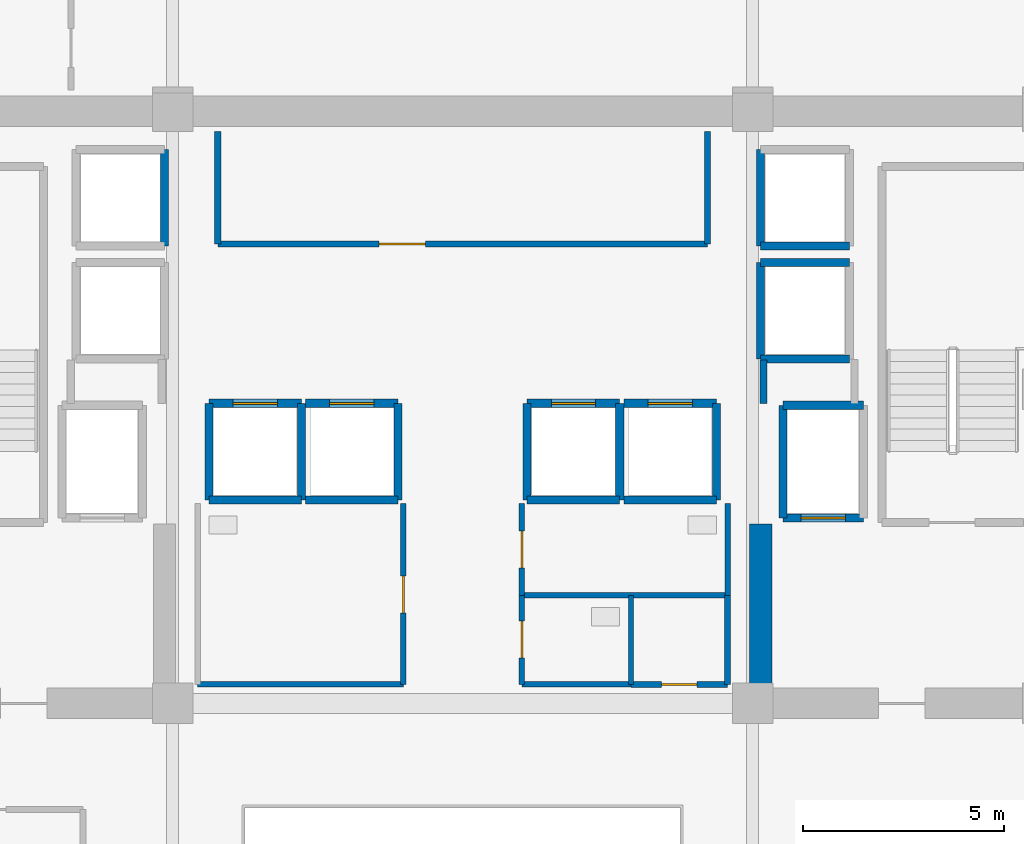
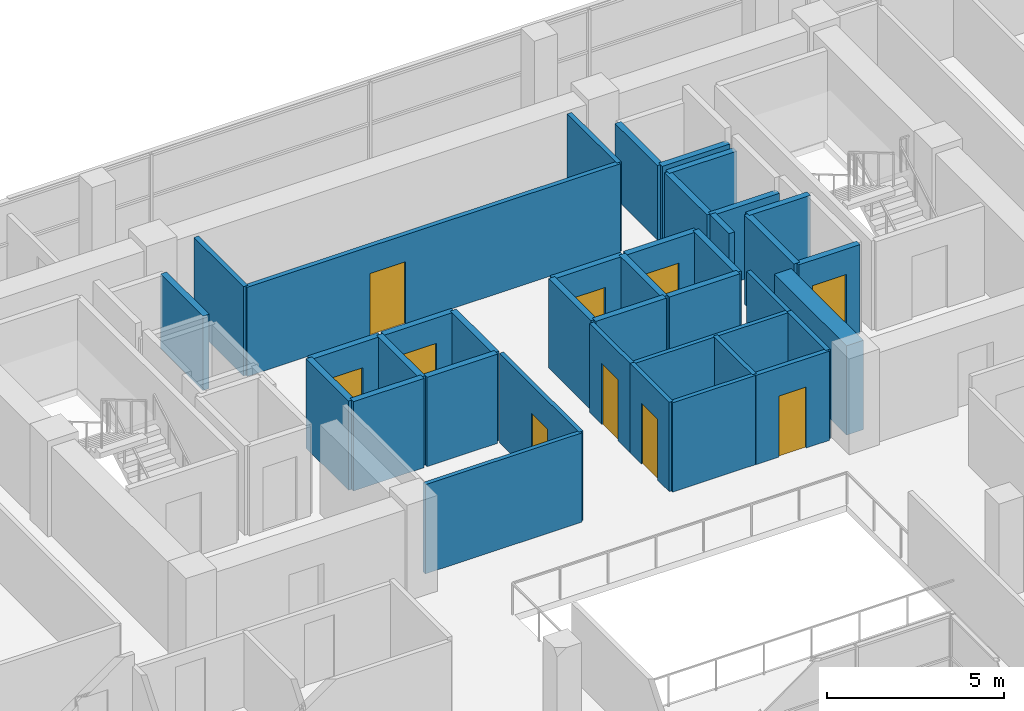
# One storey, part 16 of 21: 38 walls, 10 doors, 10 openings.
"""IFC4 building model written with IfcOpenShell, lengths in metres."""

from ifc_helpers import new_model, si_unit, direction, frame, frame_2d, origin, place, context, subcontext, project, spatial, rectangle, extrude, source, transform, mapped, material, layer, layer_set, type_object, element, fill, save


model = new_model("IFC4")

# Units and contexts
model_context = context("Model", 3, precision=1e-05, world=origin(), true_north=direction((0.0, 1.0)))
body_context = subcontext(model_context, "Body", "Model", "MODEL_VIEW")
ifc_project = project(units=[si_unit("LENGTHUNIT", "METRE"), si_unit("AREAUNIT", "SQUARE_METRE"), si_unit("VOLUMEUNIT", "CUBIC_METRE"), si_unit("PLANEANGLEUNIT", "RADIAN"), si_unit("MASSUNIT", "GRAM", prefix="KILO")], contexts=[model_context])

# Site, building, storey
site_placement = place(None, origin())
site = spatial("IfcSite", under=ifc_project, at=site_placement, CompositionType="ELEMENT")
building_placement = place(site_placement, origin())
building = spatial("IfcBuilding", under=site, at=building_placement, Name="Zarnakvel Exchange Tower", CompositionType="ELEMENT")
storey_placement = place(building_placement, frame((0.0, 0.0, 189.10009765625)))
storey = spatial("IfcBuildingStorey", under=building, at=storey_placement, Name="L53", CompositionType="ELEMENT", Elevation=189.10009765625)

# Wall
ifc_material_1 = material(Name="Concrete C60/75", Category="concrete")
ifc_layer_1 = layer(ifc_material_1, 0.550048828125)
ifc_layer_set_1 = layer_set([ifc_layer_1], Name="Concrete C60/75")
wall_type_1 = type_object("IfcWallType", Name="CW-C4", PredefinedType="SHEAR", material=ifc_layer_set_1)
wall_1_placement = place(storey_placement, frame((7.39990234375, -0.824951171875, 0.0), z_axis=(0.0, 0.0, 1.0), x_axis=(0.0, 1.0, 0.0)))
element("IfcWall", 1, at=wall_1_placement, inside=storey, type_object=wall_type_1, Name="L53 Rear Core Shear Wall IE (CW-C4)", PredefinedType="SHEAR", context=body_context, shape_type="SweptSolid", body=[
    extrude(rectangle(XDim=4.074951171875, YDim=0.550048828125, at=frame_2d((2.03759765625, 0.0))), origin(), (0.0, 0.0, 1.0), 3.074951171875),
])

# Wall, opening, door
ifc_material_2 = material(Name="Fire-Rated Gypsum Stud Partition", Category="gypsum")
ifc_layer_2 = layer(ifc_material_2, 0.14990234375)
ifc_layer_set_2 = layer_set([ifc_layer_2], Name="Fire-Rated Gypsum Stud Partition")
wall_type_2 = type_object("IfcWallType", Name="PT-01", PredefinedType="PARTITIONING", material=ifc_layer_set_2)
wall_2_placement = place(storey_placement, frame((6.080078125, 10.199951171875, 0.0), z_axis=(0.0, 0.0, 1.0), x_axis=(-1.0, 0.0, 0.0)))
wall_2 = element("IfcWall", 2, at=wall_2_placement, inside=storey, type_object=wall_type_2, Name="L53 Partition Wall PWALL-L53-011 (PT-01)", PredefinedType="PARTITIONING", context=body_context, shape_type="SweptSolid", body=[
    extrude(rectangle(XDim=12.16015625, YDim=0.14990234375, at=frame_2d((6.080078125, 0.0))), origin(), (0.0, 0.0, 1.0), 3.074951171875),
])
opening_1_placement = place(wall_2_placement, frame((7.0048828125, 0.0, 0.0)))
opening_1 = element("IfcOpeningElement", 3, at=opening_1_placement, cuts=wall_2, Name="Opening D-L53-05", PredefinedType="OPENING", context=body_context, shape_type="SweptSolid", body=[
    extrude(rectangle(XDim=1.14990234375, YDim=2.14990234375, at=frame_2d((0.574951171875, 1.074951171875))), frame((0.0, 0.0849609375, 0.0), z_axis=(0.0, -1.0, 0.0), x_axis=(1.0, 0.0, 0.0)), (0.0, 0.0, 1.0), 0.169921875),
])
ifc_material_3 = material(Name="Painted Galvanised Steel S355", Category="steel")
door_type_1 = type_object("IfcDoorType", Name="DT-04", OperationType="NOTDEFINED", PredefinedType="DOOR", material=ifc_material_3)
shared_shape_1 = source(origin(), body_context, "Body", "SweptSolid", [
    extrude(rectangle(XDim=1.14990234375, YDim=2.14990234375, at=frame_2d((0.574951171875, 1.074951171875))), frame((0.0, 0.02490234375, 0.0), z_axis=(0.0, -1.0, 0.0), x_axis=(1.0, 0.0, 0.0)), (0.0, 0.0, 1.0), 0.050048828125),
])
door_1_placement = place(opening_1_placement, origin())
door_1 = element("IfcDoor", 4, at=door_1_placement, inside=storey, type_object=door_type_1, Name="L53 Market Data Archive Suite Door D-L53-05", OperationType="SINGLE_SWING_LEFT", OverallHeight=2.14990234375, OverallWidth=1.14990234375, PredefinedType="DOOR", context=body_context, shape_type="MappedRepresentation", body=[
    mapped(shared_shape_1, transform((0.0, 0.0, 0.0), x_axis=(1.0, 0.0, 0.0), y_axis=(0.0, 1.0, 0.0), z_axis=(0.0, 0.0, 1.0), scale=1.0)),
])
fill(opening_1, door_1)

# Walls
for number, where, z_axis, x_axis, name in (
    (5, (-6.080078125, 10.199951171875, 0.0), (0.0, 0.0, 1.0), (0.0, 1.0, 0.0), "L53 Partition Wall PWALL-L53-012 (PT-01)"),
    (6, (6.080078125, 13.0, 0.0), (0.0, 0.0, 1.0), (0.0, -1.0, 0.0), "L53 Partition Wall PWALL-L53-013 (PT-01)"),
):
    element("IfcWall", number, at=place(storey_placement, frame(where, z_axis=z_axis, x_axis=x_axis)), inside=storey, type_object=wall_type_2, Name=name, PredefinedType="PARTITIONING", context=body_context, shape_type="SweptSolid", body=[
        extrude(rectangle(XDim=2.800048828125, YDim=0.14990234375, at=frame_2d((1.39990234375, 0.0))), origin(), (0.0, 0.0, 1.0), 3.074951171875),
    ])

# Wall, opening, door
wall_3_placement = place(storey_placement, frame((6.580078125, -0.72998046875, 0.0), z_axis=(0.0, 0.0, 1.0), x_axis=(-1.0, 0.0, 0.0)))
wall_3 = element("IfcWall", 7, at=wall_3_placement, inside=storey, type_object=wall_type_2, Name="L53 Partition Wall PWALL-L53-023 (PT-01)", PredefinedType="PARTITIONING", context=body_context, shape_type="SweptSolid", body=[
    extrude(rectangle(XDim=2.400146484375, YDim=0.14990234375, at=frame_2d((1.2001953125, 0.0))), origin(), (0.0, 0.0, 1.0), 3.074951171875),
])
opening_2_placement = place(wall_3_placement, frame((0.760009765625, 0.0, 0.0)))
opening_2 = element("IfcOpeningElement", 8, at=opening_2_placement, cuts=wall_3, Name="Opening D-L53-09", PredefinedType="OPENING", context=body_context, shape_type="SweptSolid", body=[
    extrude(rectangle(XDim=0.8798828125, YDim=2.10009765625, at=frame_2d((0.43994140625, 1.050048828125))), frame((0.0, 0.0849609375, 0.0), z_axis=(0.0, -1.0, 0.0), x_axis=(1.0, 0.0, 0.0)), (0.0, 0.0, 1.0), 0.169921875),
])
door_type_2 = type_object("IfcDoorType", Name="DT-08", OperationType="NOTDEFINED", PredefinedType="DOOR", material=ifc_material_3)
shared_shape_2 = source(origin(), body_context, "Body", "SweptSolid", [
    extrude(rectangle(XDim=0.8798828125, YDim=2.10009765625, at=frame_2d((0.43994140625, 1.050048828125))), frame((0.0, 0.02490234375, 0.0), z_axis=(0.0, -1.0, 0.0), x_axis=(1.0, 0.0, 0.0)), (0.0, 0.0, 1.0), 0.050048828125),
])
door_2_placement = place(opening_2_placement, origin())
door_2 = element("IfcDoor", 9, at=door_2_placement, inside=storey, type_object=door_type_2, Name="L53 Cleaners Store Door D-L53-09", OperationType="SINGLE_SWING_LEFT", OverallHeight=2.10009765625, OverallWidth=0.8798828125, PredefinedType="DOOR", context=body_context, shape_type="MappedRepresentation", body=[
    mapped(shared_shape_2, transform((0.0, 0.0, 0.0), x_axis=(1.0, 0.0, 0.0), y_axis=(0.0, 1.0, 0.0), z_axis=(0.0, 0.0, 1.0), scale=1.0)),
])
fill(opening_2, door_2)

# Walls
wall_4_placement = place(storey_placement, frame((6.580078125, 1.47998046875, 0.0), z_axis=(0.0, 0.0, 1.0), x_axis=(0.0, -1.0, 0.0)))
element("IfcWall", 10, at=wall_4_placement, inside=storey, type_object=wall_type_2, Name="L53 Partition Wall PWALL-L53-024 (PT-01)", PredefinedType="PARTITIONING", context=body_context, shape_type="SweptSolid", body=[
    extrude(rectangle(XDim=2.2099609375, YDim=0.14990234375, at=frame_2d((1.10498046875, 0.0))), origin(), (0.0, 0.0, 1.0), 3.074951171875),
])
ifc_layer_3 = layer(ifc_material_2, 0.179931640625)
ifc_layer_set_3 = layer_set([ifc_layer_3], Name="Fire-Rated Gypsum Stud Partition")
wall_type_3 = type_object("IfcWallType", Name="PT-02", PredefinedType="PARTITIONING", material=ifc_layer_set_3)
wall_5_placement = place(storey_placement, frame((7.469970703125, 6.239990234375, 0.0), z_axis=(0.0, 0.0, 1.0), x_axis=(0.0, 1.0, 0.0)))
element("IfcWall", 11, at=wall_5_placement, inside=storey, type_object=wall_type_3, Name="L53 Partition Wall PWALL-L53-009 (PT-02)", PredefinedType="PARTITIONING", context=body_context, shape_type="SweptSolid", body=[
    extrude(rectangle(XDim=1.090087890625, YDim=0.179931640625, at=frame_2d((0.544921875, 0.0))), origin(), (0.0, 0.0, 1.0), 2.56494140625),
])
ifc_material_4 = material(Name="Moisture-Resistant Tile-Faced Partition", Category="gypsum")
ifc_layer_4 = layer(ifc_material_4, 0.135009765625)
ifc_layer_set_4 = layer_set([ifc_layer_4], Name="Moisture-Resistant Tile-Faced Partition")
wall_type_4 = type_object("IfcWallType", Name="PT-03", PredefinedType="PARTITIONING", material=ifc_layer_set_4)
wall_6_placement = place(storey_placement, frame((-1.469970703125, -0.72998046875, 0.0), z_axis=(0.0, 0.0, 1.0), x_axis=(-1.0, 0.0, 0.0)))
element("IfcWall", 12, at=wall_6_placement, inside=storey, type_object=wall_type_4, Name="L53 Partition Wall PWALL-L53-014 (PT-03)", PredefinedType="PARTITIONING", context=body_context, shape_type="SweptSolid", body=[
    extrude(rectangle(XDim=5.110107421875, YDim=0.135009765625, at=frame_2d((2.55517578125, 0.0))), origin(), (0.0, 0.0, 1.0), 3.074951171875),
])

# Wall, opening, door
wall_7_placement = place(storey_placement, frame((-1.469970703125, 3.760009765625, 0.0), z_axis=(0.0, 0.0, 1.0), x_axis=(0.0, -1.0, 0.0)))
wall_7 = element("IfcWall", 13, at=wall_7_placement, inside=storey, type_object=wall_type_4, Name="L53 Partition Wall PWALL-L53-016 (PT-03)", PredefinedType="PARTITIONING", context=body_context, shape_type="SweptSolid", body=[
    extrude(rectangle(XDim=4.489990234375, YDim=0.135009765625, at=frame_2d((2.2451171875, 0.0))), origin(), (0.0, 0.0, 1.0), 3.074951171875),
])
opening_3_placement = place(wall_7_placement, frame((1.800048828125, 0.0, 0.0)))
opening_3 = element("IfcOpeningElement", 14, at=opening_3_placement, cuts=wall_7, Name="Opening D-L53-06", PredefinedType="OPENING", context=body_context, shape_type="SweptSolid", body=[
    extrude(rectangle(XDim=0.919921875, YDim=2.10009765625, at=frame_2d((0.4599609375, 1.050048828125))), frame((0.0, 0.077392578125, 0.0), z_axis=(0.0, -1.0, 0.0), x_axis=(1.0, 0.0, 0.0)), (0.0, 0.0, 1.0), 0.155029296875),
])
ifc_material_5 = material(Name="Moisture-Resistant Laminate Timber", Category="wood")
door_type_3 = type_object("IfcDoorType", Name="DT-07", OperationType="NOTDEFINED", PredefinedType="DOOR", material=ifc_material_5)
shared_shape_3 = source(origin(), body_context, "Body", "SweptSolid", [
    extrude(rectangle(XDim=0.919921875, YDim=2.10009765625, at=frame_2d((0.4599609375, 1.050048828125))), frame((0.0, 0.02490234375, 0.0), z_axis=(0.0, -1.0, 0.0), x_axis=(1.0, 0.0, 0.0)), (0.0, 0.0, 1.0), 0.050048828125),
])
door_3_placement = place(opening_3_placement, origin())
door_3 = element("IfcDoor", 15, at=door_3_placement, inside=storey, type_object=door_type_3, Name="L53 Male Toilet Door D-L53-06", OperationType="SINGLE_SWING_RIGHT", OverallHeight=2.10009765625, OverallWidth=0.919921875, PredefinedType="DOOR", context=body_context, shape_type="MappedRepresentation", body=[
    mapped(shared_shape_3, transform((0.0, 0.0, 0.0), x_axis=(1.0, 0.0, 0.0), y_axis=(0.0, 1.0, 0.0), z_axis=(0.0, 0.0, 1.0), scale=1.0)),
])
fill(opening_3, door_3)

# Wall
wall_8_placement = place(storey_placement, frame((6.580078125, 1.47998046875, 0.0), z_axis=(0.0, 0.0, 1.0), x_axis=(-1.0, 0.0, 0.0)))
element("IfcWall", 16, at=wall_8_placement, inside=storey, type_object=wall_type_4, Name="L53 Partition Wall PWALL-L53-017 (PT-03)", PredefinedType="PARTITIONING", context=body_context, shape_type="SweptSolid", body=[
    extrude(rectangle(XDim=5.110107421875, YDim=0.135009765625, at=frame_2d((2.55517578125, 0.0))), origin(), (0.0, 0.0, 1.0), 3.074951171875),
])

# Wall, opening, door
wall_9_placement = place(storey_placement, frame((1.469970703125, 1.47998046875, 0.0), z_axis=(0.0, 0.0, 1.0), x_axis=(0.0, 1.0, 0.0)))
wall_9 = element("IfcWall", 17, at=wall_9_placement, inside=storey, type_object=wall_type_4, Name="L53 Partition Wall PWALL-L53-018 (PT-03)", PredefinedType="PARTITIONING", context=body_context, shape_type="SweptSolid", body=[
    extrude(rectangle(XDim=2.280029296875, YDim=0.135009765625, at=frame_2d((1.14013671875, 0.0))), origin(), (0.0, 0.0, 1.0), 3.074951171875),
])
opening_4_placement = place(wall_9_placement, frame((0.679931640625, 0.0, 0.0)))
opening_4 = element("IfcOpeningElement", 18, at=opening_4_placement, cuts=wall_9, Name="Opening D-L53-07", PredefinedType="OPENING", context=body_context, shape_type="SweptSolid", body=[
    extrude(rectangle(XDim=0.919921875, YDim=2.10009765625, at=frame_2d((0.4599609375, 1.050048828125))), frame((0.0, 0.077392578125, 0.0), z_axis=(0.0, -1.0, 0.0), x_axis=(1.0, 0.0, 0.0)), (0.0, 0.0, 1.0), 0.155029296875),
])
door_4_placement = place(opening_4_placement, origin())
door_4 = element("IfcDoor", 19, at=door_4_placement, inside=storey, type_object=door_type_3, Name="L53 Female Toilet Door D-L53-07", OperationType="SINGLE_SWING_LEFT", OverallHeight=2.10009765625, OverallWidth=0.919921875, PredefinedType="DOOR", context=body_context, shape_type="MappedRepresentation", body=[
    mapped(shared_shape_3, transform((0.0, 0.0, 0.0), x_axis=(1.0, 0.0, 0.0), y_axis=(0.0, 1.0, 0.0), z_axis=(0.0, 0.0, 1.0), scale=1.0)),
])
fill(opening_4, door_4)

# Walls
wall_10_placement = place(storey_placement, frame((6.580078125, 3.760009765625, 0.0), z_axis=(0.0, 0.0, 1.0), x_axis=(0.0, -1.0, 0.0)))
element("IfcWall", 20, at=wall_10_placement, inside=storey, type_object=wall_type_4, Name="L53 Partition Wall PWALL-L53-019 (PT-03)", PredefinedType="PARTITIONING", context=body_context, shape_type="SweptSolid", body=[
    extrude(rectangle(XDim=2.280029296875, YDim=0.135009765625, at=frame_2d((1.14013671875, 0.0))), origin(), (0.0, 0.0, 1.0), 3.074951171875),
])
wall_11_placement = place(storey_placement, frame((4.179931640625, -0.72998046875, 0.0), z_axis=(0.0, 0.0, 1.0), x_axis=(-1.0, 0.0, 0.0)))
element("IfcWall", 21, at=wall_11_placement, inside=storey, type_object=wall_type_4, Name="L53 Partition Wall PWALL-L53-020 (PT-03)", PredefinedType="PARTITIONING", context=body_context, shape_type="SweptSolid", body=[
    extrude(rectangle(XDim=2.7099609375, YDim=0.135009765625, at=frame_2d((1.35498046875, 0.0))), origin(), (0.0, 0.0, 1.0), 3.074951171875),
])

# Wall, opening, door
wall_12_placement = place(storey_placement, frame((1.469970703125, -0.72998046875, 0.0), z_axis=(0.0, 0.0, 1.0), x_axis=(0.0, 1.0, 0.0)))
wall_12 = element("IfcWall", 22, at=wall_12_placement, inside=storey, type_object=wall_type_4, Name="L53 Partition Wall PWALL-L53-021 (PT-03)", PredefinedType="PARTITIONING", context=body_context, shape_type="SweptSolid", body=[
    extrude(rectangle(XDim=2.2099609375, YDim=0.135009765625, at=frame_2d((1.10498046875, 0.0))), origin(), (0.0, 0.0, 1.0), 3.074951171875),
])
opening_5_placement = place(wall_12_placement, frame((0.64990234375, 0.0, 0.0)))
opening_5 = element("IfcOpeningElement", 23, at=opening_5_placement, cuts=wall_12, Name="Opening D-L53-08", PredefinedType="OPENING", context=body_context, shape_type="SweptSolid", body=[
    extrude(rectangle(XDim=0.919921875, YDim=2.10009765625, at=frame_2d((0.4599609375, 1.050048828125))), frame((0.0, 0.077392578125, 0.0), z_axis=(0.0, -1.0, 0.0), x_axis=(1.0, 0.0, 0.0)), (0.0, 0.0, 1.0), 0.155029296875),
])
door_5_placement = place(opening_5_placement, origin())
door_5 = element("IfcDoor", 24, at=door_5_placement, inside=storey, type_object=door_type_3, Name="L53 Accessible Toilet Door D-L53-08", OperationType="SINGLE_SWING_RIGHT", OverallHeight=2.10009765625, OverallWidth=0.919921875, PredefinedType="DOOR", context=body_context, shape_type="MappedRepresentation", body=[
    mapped(shared_shape_3, transform((0.0, 0.0, 0.0), x_axis=(1.0, 0.0, 0.0), y_axis=(0.0, 1.0, 0.0), z_axis=(0.0, 0.0, 1.0), scale=1.0)),
])
fill(opening_5, door_5)

# Wall
wall_13_placement = place(storey_placement, frame((4.179931640625, 1.47998046875, 0.0), z_axis=(0.0, 0.0, 1.0), x_axis=(0.0, -1.0, 0.0)))
element("IfcWall", 25, at=wall_13_placement, inside=storey, type_object=wall_type_4, Name="L53 Partition Wall PWALL-L53-022 (PT-03)", PredefinedType="PARTITIONING", context=body_context, shape_type="SweptSolid", body=[
    extrude(rectangle(XDim=2.2099609375, YDim=0.135009765625, at=frame_2d((1.10498046875, 0.0))), origin(), (0.0, 0.0, 1.0), 3.074951171875),
])

# Wall, opening, door
ifc_material_6 = material(Name="Concrete C40/50", Category="concrete")
ifc_layer_5 = layer(ifc_material_6, 0.199951171875)
ifc_layer_set_5 = layer_set([ifc_layer_5], Name="Concrete C40/50")
wall_type_5 = type_object("IfcWallType", Name="SW-01", PredefinedType="SOLIDWALL", material=ifc_layer_set_5)
wall_14_placement = place(storey_placement, frame((9.949951171875, 3.39990234375, 0.0), z_axis=(0.0, 0.0, 1.0), x_axis=(-1.0, 0.0, 0.0)))
wall_14 = element("IfcWall", 26, at=wall_14_placement, inside=storey, type_object=wall_type_5, Name="L53 FL-02 Hoistway Wall South", PredefinedType="SOLIDWALL", context=body_context, shape_type="SweptSolid", body=[
    extrude(rectangle(XDim=2.0, YDim=0.199951171875, at=frame_2d((1.0, 0.0))), origin(), (0.0, 0.0, 1.0), 3.074951171875),
])
opening_6_placement = place(wall_14_placement, frame((0.449951171875, 0.0, 0.0)))
opening_6 = element("IfcOpeningElement", 27, at=opening_6_placement, cuts=wall_14, Name="Opening LD-FL-02-L53", PredefinedType="OPENING", context=body_context, shape_type="SweptSolid", body=[
    extrude(rectangle(XDim=1.10009765625, YDim=2.199951171875, at=frame_2d((0.550048828125, 1.10009765625))), frame((0.0, 0.10986328125, 0.0), z_axis=(0.0, -1.0, 0.0), x_axis=(1.0, 0.0, 0.0)), (0.0, 0.0, 1.0), 0.219970703125),
])
ifc_material_7 = material(Name="Brushed Stainless Steel", Category="steel")
door_type_4 = type_object("IfcDoorType", Name="LDT-01", OperationType="NOTDEFINED", PredefinedType="DOOR", material=ifc_material_7)
shared_shape_4 = source(origin(), body_context, "Body", "SweptSolid", [
    extrude(rectangle(XDim=1.10009765625, YDim=2.199951171875, at=frame_2d((0.550048828125, 1.10009765625))), frame((0.0, 0.02490234375, 0.0), z_axis=(0.0, -1.0, 0.0), x_axis=(1.0, 0.0, 0.0)), (0.0, 0.0, 1.0), 0.050048828125),
])
door_6_placement = place(opening_6_placement, origin())
door_6 = element("IfcDoor", 28, at=door_6_placement, inside=storey, type_object=door_type_4, Name="L53 FL-02 Lift Landing Door LD-FL-02-L53", OperationType="DOUBLE_DOOR_SLIDING", OverallHeight=2.199951171875, OverallWidth=1.10009765625, PredefinedType="DOOR", context=body_context, shape_type="MappedRepresentation", body=[
    mapped(shared_shape_4, transform((0.0, 0.0, 0.0), x_axis=(1.0, 0.0, 0.0), y_axis=(0.0, 1.0, 0.0), z_axis=(0.0, 0.0, 1.0), scale=1.0)),
])
fill(opening_6, door_6)

# Walls
wall_15_placement = place(storey_placement, frame((7.949951171875, 6.199951171875, 0.0), z_axis=(0.0, 0.0, 1.0), x_axis=(1.0, 0.0, 0.0)))
element("IfcWall", 29, at=wall_15_placement, inside=storey, type_object=wall_type_5, Name="L53 FL-02 Hoistway Wall North", PredefinedType="SOLIDWALL", context=body_context, shape_type="SweptSolid", body=[
    extrude(rectangle(XDim=2.0, YDim=0.199951171875, at=frame_2d((1.0, 0.0))), origin(), (0.0, 0.0, 1.0), 3.074951171875),
])
wall_16_placement = place(storey_placement, frame((7.949951171875, 3.39990234375, 0.0), z_axis=(0.0, 0.0, 1.0), x_axis=(0.0, 1.0, 0.0)))
element("IfcWall", 30, at=wall_16_placement, inside=storey, type_object=wall_type_5, Name="L53 FL-02 Hoistway Wall West", PredefinedType="SOLIDWALL", context=body_context, shape_type="SweptSolid", body=[
    extrude(rectangle(XDim=2.800048828125, YDim=0.199951171875, at=frame_2d((1.39990234375, 0.0))), origin(), (0.0, 0.0, 1.0), 3.074951171875),
])
wall_17_placement = place(storey_placement, frame((-4.0, 3.85009765625, 0.0), z_axis=(0.0, 0.0, 1.0), x_axis=(-1.0, 0.0, 0.0)))
element("IfcWall", 31, at=wall_17_placement, inside=storey, type_object=wall_type_5, Name="L53 PL-05 Hoistway Wall South", PredefinedType="SOLIDWALL", context=body_context, shape_type="SweptSolid", body=[
    extrude(rectangle(XDim=2.300048828125, YDim=0.199951171875, at=frame_2d((1.14990234375, 0.0))), origin(), (0.0, 0.0, 1.0), 3.074951171875),
])

# Wall, opening, door
wall_18_placement = place(storey_placement, frame((-6.300048828125, 6.25, 0.0), z_axis=(0.0, 0.0, 1.0), x_axis=(1.0, 0.0, 0.0)))
wall_18 = element("IfcWall", 32, at=wall_18_placement, inside=storey, type_object=wall_type_5, Name="L53 PL-05 Hoistway Wall North", PredefinedType="SOLIDWALL", context=body_context, shape_type="SweptSolid", body=[
    extrude(rectangle(XDim=2.300048828125, YDim=0.199951171875, at=frame_2d((1.14990234375, 0.0))), origin(), (0.0, 0.0, 1.0), 3.074951171875),
])
opening_7_placement = place(wall_18_placement, frame((0.60009765625, 0.0, 0.0)))
opening_7 = element("IfcOpeningElement", 33, at=opening_7_placement, cuts=wall_18, Name="Opening LD-PL-05-L53", PredefinedType="OPENING", context=body_context, shape_type="SweptSolid", body=[
    extrude(rectangle(XDim=1.10009765625, YDim=2.199951171875, at=frame_2d((0.550048828125, 1.10009765625))), frame((0.0, 0.10986328125, 0.0), z_axis=(0.0, -1.0, 0.0), x_axis=(1.0, 0.0, 0.0)), (0.0, 0.0, 1.0), 0.219970703125),
])
ifc_material_8 = material(Name="Architectural Bronze Anodised Aluminium", Category="aluminium")
door_type_5 = type_object("IfcDoorType", Name="LDT-02", OperationType="NOTDEFINED", PredefinedType="DOOR", material=ifc_material_8)
door_7_placement = place(opening_7_placement, origin())
door_7 = element("IfcDoor", 34, at=door_7_placement, inside=storey, type_object=door_type_5, Name="L53 PL-05 Lift Landing Door LD-PL-05-L53", OperationType="DOUBLE_DOOR_SLIDING", OverallHeight=2.199951171875, OverallWidth=1.10009765625, PredefinedType="DOOR", context=body_context, shape_type="MappedRepresentation", body=[
    mapped(shared_shape_4, transform((0.0, 0.0, 0.0), x_axis=(1.0, 0.0, 0.0), y_axis=(0.0, 1.0, 0.0), z_axis=(0.0, 0.0, 1.0), scale=1.0)),
])
fill(opening_7, door_7)

# Walls
for number, where, z_axis, x_axis, name in (
    (35, (-6.300048828125, 3.85009765625, 0.0), (0.0, 0.0, 1.0), (0.0, 1.0, 0.0), "L53 PL-05 Hoistway Wall West"),
    (36, (-4.0, 6.25, 0.0), (0.0, 0.0, 1.0), (0.0, -1.0, 0.0), "L53 PL-05 Hoistway Wall East"),
):
    element("IfcWall", number, at=place(storey_placement, frame(where, z_axis=z_axis, x_axis=x_axis)), inside=storey, type_object=wall_type_5, Name=name, PredefinedType="SOLIDWALL", context=body_context, shape_type="SweptSolid", body=[
        extrude(rectangle(XDim=2.39990234375, YDim=0.199951171875, at=frame_2d((1.199951171875, 0.0))), origin(), (0.0, 0.0, 1.0), 3.074951171875),
    ])
wall_19_placement = place(storey_placement, frame((-1.60009765625, 3.85009765625, 0.0), z_axis=(0.0, 0.0, 1.0), x_axis=(-1.0, 0.0, 0.0)))
element("IfcWall", 37, at=wall_19_placement, inside=storey, type_object=wall_type_5, Name="L53 PL-06 Hoistway Wall South", PredefinedType="SOLIDWALL", context=body_context, shape_type="SweptSolid", body=[
    extrude(rectangle(XDim=2.2998046875, YDim=0.199951171875, at=frame_2d((1.14990234375, 0.0))), origin(), (0.0, 0.0, 1.0), 3.074951171875),
])

# Wall, opening, door
wall_20_placement = place(storey_placement, frame((-3.89990234375, 6.25, 0.0), z_axis=(0.0, 0.0, 1.0), x_axis=(1.0, 0.0, 0.0)))
wall_20 = element("IfcWall", 38, at=wall_20_placement, inside=storey, type_object=wall_type_5, Name="L53 PL-06 Hoistway Wall North", PredefinedType="SOLIDWALL", context=body_context, shape_type="SweptSolid", body=[
    extrude(rectangle(XDim=2.2998046875, YDim=0.199951171875, at=frame_2d((1.14990234375, 0.0))), origin(), (0.0, 0.0, 1.0), 3.074951171875),
])
opening_8_placement = place(wall_20_placement, frame((0.60009765625, 0.0, 0.0)))
opening_8 = element("IfcOpeningElement", 39, at=opening_8_placement, cuts=wall_20, Name="Opening LD-PL-06-L53", PredefinedType="OPENING", context=body_context, shape_type="SweptSolid", body=[
    extrude(rectangle(XDim=1.10009765625, YDim=2.199951171875, at=frame_2d((0.550048828125, 1.10009765625))), frame((0.0, 0.10986328125, 0.0), z_axis=(0.0, -1.0, 0.0), x_axis=(1.0, 0.0, 0.0)), (0.0, 0.0, 1.0), 0.219970703125),
])
door_8_placement = place(opening_8_placement, origin())
door_8 = element("IfcDoor", 40, at=door_8_placement, inside=storey, type_object=door_type_5, Name="L53 PL-06 Lift Landing Door LD-PL-06-L53", OperationType="DOUBLE_DOOR_SLIDING", OverallHeight=2.199951171875, OverallWidth=1.10009765625, PredefinedType="DOOR", context=body_context, shape_type="MappedRepresentation", body=[
    mapped(shared_shape_4, transform((0.0, 0.0, 0.0), x_axis=(1.0, 0.0, 0.0), y_axis=(0.0, 1.0, 0.0), z_axis=(0.0, 0.0, 1.0), scale=1.0)),
])
fill(opening_8, door_8)

# Walls
wall_21_placement = place(storey_placement, frame((-1.60009765625, 6.25, 0.0), z_axis=(0.0, 0.0, 1.0), x_axis=(0.0, -1.0, 0.0)))
element("IfcWall", 41, at=wall_21_placement, inside=storey, type_object=wall_type_5, Name="L53 PL-06 Hoistway Wall East", PredefinedType="SOLIDWALL", context=body_context, shape_type="SweptSolid", body=[
    extrude(rectangle(XDim=2.39990234375, YDim=0.199951171875, at=frame_2d((1.199951171875, 0.0))), origin(), (0.0, 0.0, 1.0), 3.074951171875),
])
wall_22_placement = place(storey_placement, frame((3.89990234375, 3.85009765625, 0.0), z_axis=(0.0, 0.0, 1.0), x_axis=(-1.0, 0.0, 0.0)))
element("IfcWall", 42, at=wall_22_placement, inside=storey, type_object=wall_type_5, Name="L53 PL-07 Hoistway Wall South", PredefinedType="SOLIDWALL", context=body_context, shape_type="SweptSolid", body=[
    extrude(rectangle(XDim=2.2998046875, YDim=0.199951171875, at=frame_2d((1.14990234375, 0.0))), origin(), (0.0, 0.0, 1.0), 3.074951171875),
])

# Wall, opening, door
wall_23_placement = place(storey_placement, frame((1.60009765625, 6.25, 0.0), z_axis=(0.0, 0.0, 1.0), x_axis=(1.0, 0.0, 0.0)))
wall_23 = element("IfcWall", 43, at=wall_23_placement, inside=storey, type_object=wall_type_5, Name="L53 PL-07 Hoistway Wall North", PredefinedType="SOLIDWALL", context=body_context, shape_type="SweptSolid", body=[
    extrude(rectangle(XDim=2.2998046875, YDim=0.199951171875, at=frame_2d((1.14990234375, 0.0))), origin(), (0.0, 0.0, 1.0), 3.074951171875),
])
opening_9_placement = place(wall_23_placement, frame((0.60009765625, 0.0, 0.0)))
opening_9 = element("IfcOpeningElement", 44, at=opening_9_placement, cuts=wall_23, Name="Opening LD-PL-07-L53", PredefinedType="OPENING", context=body_context, shape_type="SweptSolid", body=[
    extrude(rectangle(XDim=1.10009765625, YDim=2.199951171875, at=frame_2d((0.550048828125, 1.10009765625))), frame((0.0, 0.10986328125, 0.0), z_axis=(0.0, -1.0, 0.0), x_axis=(1.0, 0.0, 0.0)), (0.0, 0.0, 1.0), 0.219970703125),
])
door_9_placement = place(opening_9_placement, origin())
door_9 = element("IfcDoor", 45, at=door_9_placement, inside=storey, type_object=door_type_5, Name="L53 PL-07 Lift Landing Door LD-PL-07-L53", OperationType="DOUBLE_DOOR_SLIDING", OverallHeight=2.199951171875, OverallWidth=1.10009765625, PredefinedType="DOOR", context=body_context, shape_type="MappedRepresentation", body=[
    mapped(shared_shape_4, transform((0.0, 0.0, 0.0), x_axis=(1.0, 0.0, 0.0), y_axis=(0.0, 1.0, 0.0), z_axis=(0.0, 0.0, 1.0), scale=1.0)),
])
fill(opening_9, door_9)

# Walls
for number, where, z_axis, x_axis, name in (
    (46, (1.60009765625, 3.85009765625, 0.0), (0.0, 0.0, 1.0), (0.0, 1.0, 0.0), "L53 PL-07 Hoistway Wall West"),
    (47, (3.89990234375, 6.25, 0.0), (0.0, 0.0, 1.0), (0.0, -1.0, 0.0), "L53 PL-07 Hoistway Wall East"),
):
    element("IfcWall", number, at=place(storey_placement, frame(where, z_axis=z_axis, x_axis=x_axis)), inside=storey, type_object=wall_type_5, Name=name, PredefinedType="SOLIDWALL", context=body_context, shape_type="SweptSolid", body=[
        extrude(rectangle(XDim=2.39990234375, YDim=0.199951171875, at=frame_2d((1.199951171875, 0.0))), origin(), (0.0, 0.0, 1.0), 3.074951171875),
    ])
wall_24_placement = place(storey_placement, frame((6.300048828125, 3.85009765625, 0.0), z_axis=(0.0, 0.0, 1.0), x_axis=(-1.0, 0.0, 0.0)))
element("IfcWall", 48, at=wall_24_placement, inside=storey, type_object=wall_type_5, Name="L53 PL-08 Hoistway Wall South", PredefinedType="SOLIDWALL", context=body_context, shape_type="SweptSolid", body=[
    extrude(rectangle(XDim=2.300048828125, YDim=0.199951171875, at=frame_2d((1.14990234375, 0.0))), origin(), (0.0, 0.0, 1.0), 3.074951171875),
])

# Wall, opening, door
wall_25_placement = place(storey_placement, frame((4.0, 6.25, 0.0), z_axis=(0.0, 0.0, 1.0), x_axis=(1.0, 0.0, 0.0)))
wall_25 = element("IfcWall", 49, at=wall_25_placement, inside=storey, type_object=wall_type_5, Name="L53 PL-08 Hoistway Wall North", PredefinedType="SOLIDWALL", context=body_context, shape_type="SweptSolid", body=[
    extrude(rectangle(XDim=2.300048828125, YDim=0.199951171875, at=frame_2d((1.14990234375, 0.0))), origin(), (0.0, 0.0, 1.0), 3.074951171875),
])
opening_10_placement = place(wall_25_placement, frame((0.60009765625, 0.0, 0.0)))
opening_10 = element("IfcOpeningElement", 50, at=opening_10_placement, cuts=wall_25, Name="Opening LD-PL-08-L53", PredefinedType="OPENING", context=body_context, shape_type="SweptSolid", body=[
    extrude(rectangle(XDim=1.10009765625, YDim=2.199951171875, at=frame_2d((0.550048828125, 1.10009765625))), frame((0.0, 0.10986328125, 0.0), z_axis=(0.0, -1.0, 0.0), x_axis=(1.0, 0.0, 0.0)), (0.0, 0.0, 1.0), 0.219970703125),
])
door_10_placement = place(opening_10_placement, origin())
door_10 = element("IfcDoor", 51, at=door_10_placement, inside=storey, type_object=door_type_5, Name="L53 PL-08 Lift Landing Door LD-PL-08-L53", OperationType="DOUBLE_DOOR_SLIDING", OverallHeight=2.199951171875, OverallWidth=1.10009765625, PredefinedType="DOOR", context=body_context, shape_type="MappedRepresentation", body=[
    mapped(shared_shape_4, transform((0.0, 0.0, 0.0), x_axis=(1.0, 0.0, 0.0), y_axis=(0.0, 1.0, 0.0), z_axis=(0.0, 0.0, 1.0), scale=1.0)),
])
fill(opening_10, door_10)

# Walls
wall_26_placement = place(storey_placement, frame((6.300048828125, 6.25, 0.0), z_axis=(0.0, 0.0, 1.0), x_axis=(0.0, -1.0, 0.0)))
element("IfcWall", 52, at=wall_26_placement, inside=storey, type_object=wall_type_5, Name="L53 PL-08 Hoistway Wall East", PredefinedType="SOLIDWALL", context=body_context, shape_type="SweptSolid", body=[
    extrude(rectangle(XDim=2.39990234375, YDim=0.199951171875, at=frame_2d((1.199951171875, 0.0))), origin(), (0.0, 0.0, 1.0), 3.074951171875),
])
wall_27_placement = place(storey_placement, frame((-7.39990234375, 12.550048828125, 0.0), z_axis=(0.0, 0.0, 1.0), x_axis=(0.0, -1.0, 0.0)))
element("IfcWall", 53, at=wall_27_placement, inside=storey, type_object=wall_type_5, Name="L53 PL-10 Hoistway Wall East", PredefinedType="SOLIDWALL", context=body_context, shape_type="SweptSolid", body=[
    extrude(rectangle(XDim=2.400146484375, YDim=0.199951171875, at=frame_2d((1.2001953125, 0.0))), origin(), (0.0, 0.0, 1.0), 2.56494140625),
])
for number, where, z_axis, x_axis, name in (
    (54, (9.60009765625, 7.35009765625, 0.0), (0.0, 0.0, 1.0), (-1.0, 0.0, 0.0), "L53 PL-11 Hoistway Wall South"),
    (55, (7.39990234375, 9.75, 0.0), (0.0, 0.0, 1.0), (1.0, 0.0, 0.0), "L53 PL-11 Hoistway Wall North"),
):
    element("IfcWall", number, at=place(storey_placement, frame(where, z_axis=z_axis, x_axis=x_axis)), inside=storey, type_object=wall_type_5, Name=name, PredefinedType="SOLIDWALL", context=body_context, shape_type="SweptSolid", body=[
        extrude(rectangle(XDim=2.2001953125, YDim=0.199951171875, at=frame_2d((1.10009765625, 0.0))), origin(), (0.0, 0.0, 1.0), 2.56494140625),
    ])
wall_28_placement = place(storey_placement, frame((7.39990234375, 7.35009765625, 0.0), z_axis=(0.0, 0.0, 1.0), x_axis=(0.0, 1.0, 0.0)))
element("IfcWall", 56, at=wall_28_placement, inside=storey, type_object=wall_type_5, Name="L53 PL-11 Hoistway Wall West", PredefinedType="SOLIDWALL", context=body_context, shape_type="SweptSolid", body=[
    extrude(rectangle(XDim=2.39990234375, YDim=0.199951171875, at=frame_2d((1.199951171875, 0.0))), origin(), (0.0, 0.0, 1.0), 2.56494140625),
])
wall_29_placement = place(storey_placement, frame((9.60009765625, 10.14990234375, 0.0), z_axis=(0.0, 0.0, 1.0), x_axis=(-1.0, 0.0, 0.0)))
element("IfcWall", 57, at=wall_29_placement, inside=storey, type_object=wall_type_5, Name="L53 PL-12 Hoistway Wall South", PredefinedType="SOLIDWALL", context=body_context, shape_type="SweptSolid", body=[
    extrude(rectangle(XDim=2.2001953125, YDim=0.199951171875, at=frame_2d((1.10009765625, 0.0))), origin(), (0.0, 0.0, 1.0), 2.56494140625),
])
wall_30_placement = place(storey_placement, frame((7.39990234375, 10.14990234375, 0.0), z_axis=(0.0, 0.0, 1.0), x_axis=(0.0, 1.0, 0.0)))
element("IfcWall", 58, at=wall_30_placement, inside=storey, type_object=wall_type_5, Name="L53 PL-12 Hoistway Wall West", PredefinedType="SOLIDWALL", context=body_context, shape_type="SweptSolid", body=[
    extrude(rectangle(XDim=2.400146484375, YDim=0.199951171875, at=frame_2d((1.2001953125, 0.0))), origin(), (0.0, 0.0, 1.0), 2.56494140625),
])

save(model, "model.ifc")
